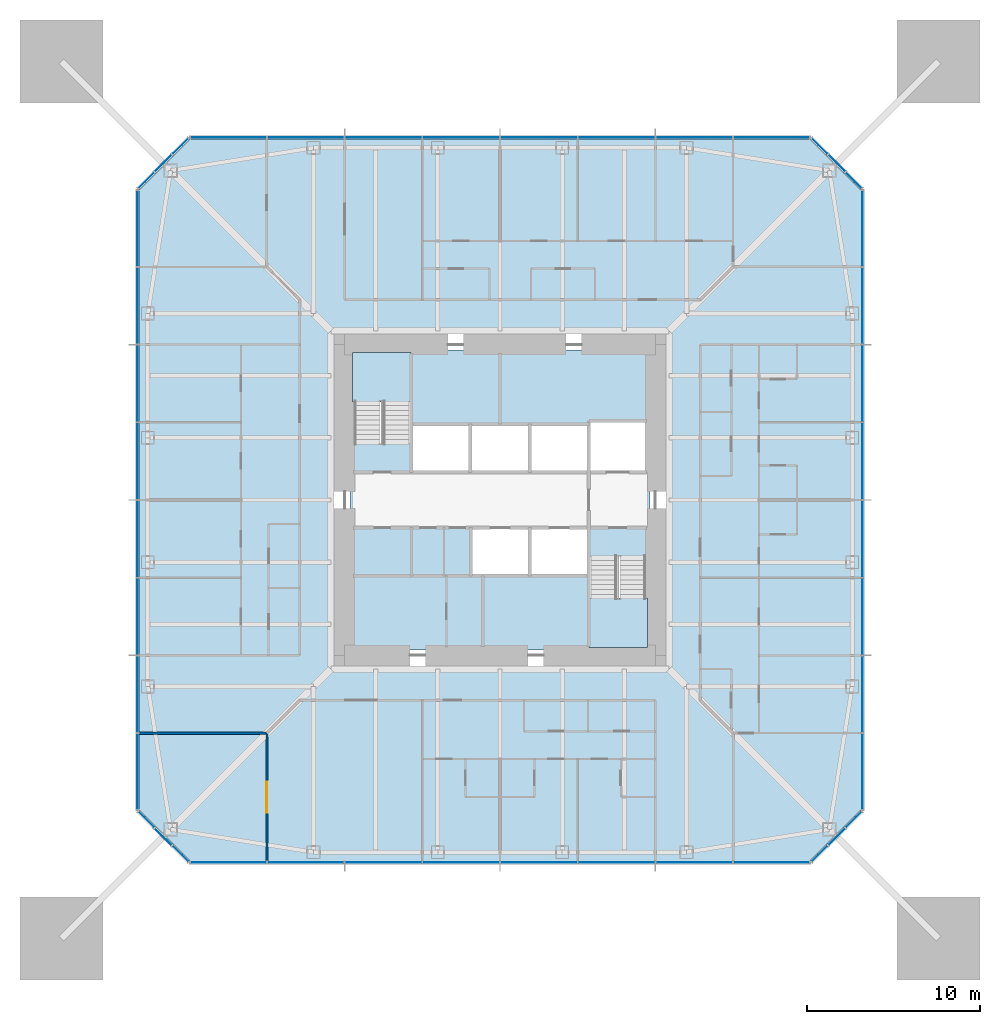
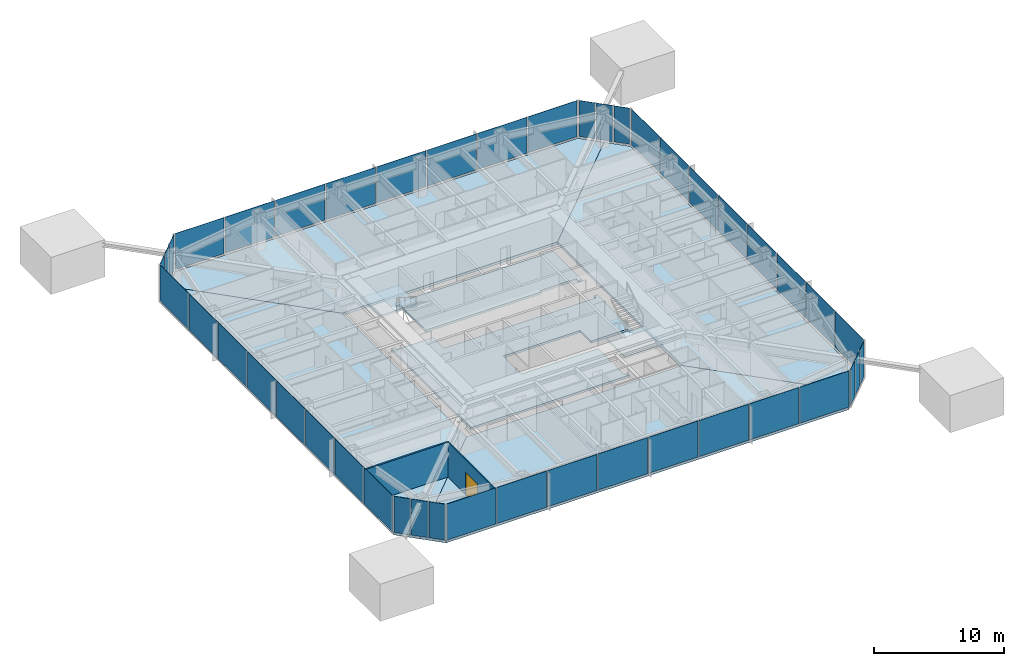
# One storey, part 6 of 14: 44 plates, 8 slabs, 2 walls, 1 door, 1 opening, 10 elements without a shape of their own.
"""IFC4 building model written with IfcOpenShell, lengths in metres."""

from ifc_helpers import new_model, si_unit, direction, frame, frame_2d, origin, origin_2d, place, context, subcontext, project, spatial, polyline, rectangle, outline, extrude, material, layer, layer_set, constituent, constituent_set, type_object, element, fill, aggregate, save


model = new_model("IFC4")

# Units and contexts
model_context = context("Model", 3, precision=1e-05, world=origin(), true_north=direction((0.0, 1.0)))
body_context = subcontext(model_context, "Body", "Model", "MODEL_VIEW")
ifc_project = project(units=[si_unit("LENGTHUNIT", "METRE"), si_unit("AREAUNIT", "SQUARE_METRE"), si_unit("VOLUMEUNIT", "CUBIC_METRE"), si_unit("PLANEANGLEUNIT", "RADIAN"), si_unit("MASSUNIT", "GRAM", prefix="KILO")], contexts=[model_context])

# Site, building, storey
site_placement = place(None, origin())
site = spatial("IfcSite", under=ifc_project, at=site_placement, CompositionType="ELEMENT")
building_placement = place(site_placement, origin())
building = spatial("IfcBuilding", under=site, at=building_placement, Name="Iwan Alto Co-Living Towers", CompositionType="ELEMENT")
storey_placement = place(building_placement, frame((0.0, 0.0, 136.5)))
storey = spatial("IfcBuildingStorey", under=building, at=storey_placement, Name="L37", CompositionType="ELEMENT", Elevation=136.5)

# Slabs
ifc_material_1 = material(Name="Concrete f'c 30 MPa", Category="concrete")
ifc_layer_1 = layer(ifc_material_1, 0.199951171875)
ifc_layer_set_1 = layer_set([ifc_layer_1], Name="CORE FLOOR SLAB 200")
slab_type_1 = type_object("IfcSlabType", Name="CORE FLOOR SLAB 200", PredefinedType="FLOOR", material=ifc_layer_set_1)
slab_1_placement = place(storey_placement, frame((0.0, 0.0, -0.199951171875)))
element("IfcSlab", 1, at=slab_1_placement, inside=storey, type_object=slab_type_1, Name="T1 core floor L37", PredefinedType="FLOOR", context=body_context, shape_type="SweptSolid", body=[
    extrude(outline(polyline([(5.14990234375, -1.60009765625), (1.72509765625, -1.60009765625), (-1.699951171875, -1.60009765625), (-1.699951171875, -4.39990234375), (1.72509765625, -4.39990234375), (5.14990234375, -4.39990234375), (5.14990234375, -8.39990234375), (5.4599609375, -8.39990234375), (5.4599609375, -8.699951171875), (-8.699951171875, -8.699951171875), (-8.699951171875, 3.580078125), (-8.39990234375, 3.580078125), (-8.39990234375, 3.27001953125), (-5.14990234375, 3.27001953125), (-5.14990234375, 1.60009765625), (-1.717041015625, 1.60009765625), (1.717041015625, 1.60009765625), (5.14990234375, 1.60009765625), (8.39990234375, 1.60009765625), (8.39990234375, 1.909912109375), (8.699951171875, 1.909912109375), (8.699951171875, -3.580078125), (8.39990234375, -3.580078125), (8.39990234375, -3.27001953125), (5.14990234375, -3.27001953125), (5.14990234375, -1.60009765625)])), origin(), (0.0, 0.0, 1.0), 0.199951171875),
])
slab_2_placement = place(storey_placement, frame((0.0, 0.0, -0.199951171875)))
element("IfcSlab", 2, at=slab_2_placement, inside=storey, type_object=slab_type_1, Name="T1 core floor L37", PredefinedType="FLOOR", context=body_context, shape_type="SweptSolid", body=[
    extrude(outline(polyline([(1.717041015625, 4.39990234375), (-1.717041015625, 4.39990234375), (-5.14990234375, 4.39990234375), (-5.14990234375, 8.39990234375), (-5.4599609375, 8.39990234375), (-5.4599609375, 8.699951171875), (8.699951171875, 8.699951171875), (8.699951171875, 4.2900390625), (8.39990234375, 4.2900390625), (8.39990234375, 4.60009765625), (5.14990234375, 4.60009765625), (5.14990234375, 4.39990234375), (1.717041015625, 4.39990234375)])), origin(), (0.0, 0.0, 1.0), 0.199951171875),
])

# Curtain wall, plates
ifc_material_2 = material(Name="Bronze aluminium unitised frame", Category="aluminium")
curtain_wall_type_1 = type_object("IfcCurtainWallType", Name="CURTAIN WALL CW-A", PredefinedType="NOTDEFINED", material=ifc_material_2)
curtain_wall_1_placement = place(storey_placement, origin())
curtain_wall_1 = element("IfcCurtainWall", 3, at=curtain_wall_1_placement, inside=storey, type_object=curtain_wall_type_1, Name="T1 curtain wall S L37", PredefinedType="NOTDEFINED")
ifc_material_3 = material(Name="Bronze-tinted insulating glass", Category="glass")
ifc_layer_2 = layer(ifc_material_3, 0.031982421875)
ifc_layer_set_2 = layer_set([ifc_layer_2], Name="CW-A PANEL TINTED IGU 32")
plate_type_1 = type_object("IfcPlateType", Name="CW-A PANEL TINTED IGU 32", PredefinedType="CURTAIN_PANEL", material=ifc_layer_set_2)
plate_1_placement = place(storey_placement, frame((-15.72998046875, -21.0, 0.10009765625), z_axis=(0.0, 0.0, 1.0), x_axis=(1.0, 0.0, 0.0)))
plate_1 = element("IfcPlate", 4, at=plate_1_placement, type_object=plate_type_1, Name="CW-A panel 1.1", PredefinedType="CURTAIN_PANEL", context=body_context, shape_type="SweptSolid", body=[
    extrude(rectangle(XDim=4.3798828125, YDim=0.031982421875, at=origin_2d()), origin(), (0.0, 0.0, 1.0), 3.39990234375),
])
plate_2_placement = place(storey_placement, frame((-11.25, -21.0, 0.10009765625), z_axis=(0.0, 0.0, 1.0), x_axis=(1.0, 0.0, 0.0)))
plate_2 = element("IfcPlate", 5, at=plate_2_placement, type_object=plate_type_1, Name="CW-A panel 2.1", PredefinedType="CURTAIN_PANEL", context=body_context, shape_type="SweptSolid", body=[
    extrude(rectangle(XDim=4.419921875, YDim=0.031982421875, at=origin_2d()), origin(), (0.0, 0.0, 1.0), 3.39990234375),
])
plate_3_placement = place(storey_placement, frame((-6.75, -21.0, 0.10009765625), z_axis=(0.0, 0.0, 1.0), x_axis=(1.0, 0.0, 0.0)))
plate_3 = element("IfcPlate", 6, at=plate_3_placement, type_object=plate_type_1, Name="CW-A panel 3.1", PredefinedType="CURTAIN_PANEL", context=body_context, shape_type="SweptSolid", body=[
    extrude(rectangle(XDim=4.419921875, YDim=0.031982421875, at=origin_2d()), origin(), (0.0, 0.0, 1.0), 3.39990234375),
])
plate_4_placement = place(storey_placement, frame((-2.25, -21.0, 0.10009765625), z_axis=(0.0, 0.0, 1.0), x_axis=(1.0, 0.0, 0.0)))
plate_4 = element("IfcPlate", 7, at=plate_4_placement, type_object=plate_type_1, Name="CW-A panel 4.1", PredefinedType="CURTAIN_PANEL", context=body_context, shape_type="SweptSolid", body=[
    extrude(rectangle(XDim=4.419921875, YDim=0.031982421875, at=origin_2d()), origin(), (0.0, 0.0, 1.0), 3.39990234375),
])
plate_5_placement = place(storey_placement, frame((2.25, -21.0, 0.10009765625), z_axis=(0.0, 0.0, 1.0), x_axis=(1.0, 0.0, 0.0)))
plate_5 = element("IfcPlate", 8, at=plate_5_placement, type_object=plate_type_1, Name="CW-A panel 5.1", PredefinedType="CURTAIN_PANEL", context=body_context, shape_type="SweptSolid", body=[
    extrude(rectangle(XDim=4.419921875, YDim=0.031982421875, at=origin_2d()), origin(), (0.0, 0.0, 1.0), 3.39990234375),
])
plate_6_placement = place(storey_placement, frame((6.75, -21.0, 0.10009765625), z_axis=(0.0, 0.0, 1.0), x_axis=(1.0, 0.0, 0.0)))
plate_6 = element("IfcPlate", 9, at=plate_6_placement, type_object=plate_type_1, Name="CW-A panel 6.1", PredefinedType="CURTAIN_PANEL", context=body_context, shape_type="SweptSolid", body=[
    extrude(rectangle(XDim=4.419921875, YDim=0.031982421875, at=origin_2d()), origin(), (0.0, 0.0, 1.0), 3.39990234375),
])
plate_7_placement = place(storey_placement, frame((11.25, -21.0, 0.10009765625), z_axis=(0.0, 0.0, 1.0), x_axis=(1.0, 0.0, 0.0)))
plate_7 = element("IfcPlate", 10, at=plate_7_placement, type_object=plate_type_1, Name="CW-A panel 7.1", PredefinedType="CURTAIN_PANEL", context=body_context, shape_type="SweptSolid", body=[
    extrude(rectangle(XDim=4.419921875, YDim=0.031982421875, at=origin_2d()), origin(), (0.0, 0.0, 1.0), 3.39990234375),
])
plate_8_placement = place(storey_placement, frame((15.72998046875, -21.0, 0.10009765625), z_axis=(0.0, 0.0, 1.0), x_axis=(1.0, 0.0, 0.0)))
plate_8 = element("IfcPlate", 11, at=plate_8_placement, type_object=plate_type_1, Name="CW-A panel 8.1", PredefinedType="CURTAIN_PANEL", context=body_context, shape_type="SweptSolid", body=[
    extrude(rectangle(XDim=4.3798828125, YDim=0.031982421875, at=origin_2d()), origin(), (0.0, 0.0, 1.0), 3.39990234375),
])
aggregate(curtain_wall_1, [plate_1, plate_2, plate_3, plate_4, plate_5, plate_6, plate_7, plate_8])

curtain_wall_2_placement = place(storey_placement, origin())
curtain_wall_2 = element("IfcCurtainWall", 12, at=curtain_wall_2_placement, inside=storey, type_object=curtain_wall_type_1, Name="T1 curtain wall E L37", PredefinedType="NOTDEFINED")
plate_9_placement = place(storey_placement, frame((21.0, -15.72998046875, 0.10009765625), z_axis=(0.0, 0.0, 1.0), x_axis=(0.0, 1.0, 0.0)))
plate_9 = element("IfcPlate", 13, at=plate_9_placement, type_object=plate_type_1, Name="CW-A panel 1.1", PredefinedType="CURTAIN_PANEL", context=body_context, shape_type="SweptSolid", body=[
    extrude(rectangle(XDim=4.3798828125, YDim=0.031982421875, at=origin_2d()), origin(), (0.0, 0.0, 1.0), 3.39990234375),
])
plate_10_placement = place(storey_placement, frame((21.0, -11.25, 0.10009765625), z_axis=(0.0, 0.0, 1.0), x_axis=(0.0, 1.0, 0.0)))
plate_10 = element("IfcPlate", 14, at=plate_10_placement, type_object=plate_type_1, Name="CW-A panel 2.1", PredefinedType="CURTAIN_PANEL", context=body_context, shape_type="SweptSolid", body=[
    extrude(rectangle(XDim=4.419921875, YDim=0.031982421875, at=origin_2d()), origin(), (0.0, 0.0, 1.0), 3.39990234375),
])
plate_11_placement = place(storey_placement, frame((21.0, -6.75, 0.10009765625), z_axis=(0.0, 0.0, 1.0), x_axis=(0.0, 1.0, 0.0)))
plate_11 = element("IfcPlate", 15, at=plate_11_placement, type_object=plate_type_1, Name="CW-A panel 3.1", PredefinedType="CURTAIN_PANEL", context=body_context, shape_type="SweptSolid", body=[
    extrude(rectangle(XDim=4.419921875, YDim=0.031982421875, at=origin_2d()), origin(), (0.0, 0.0, 1.0), 3.39990234375),
])
plate_12_placement = place(storey_placement, frame((21.0, -2.25, 0.10009765625), z_axis=(0.0, 0.0, 1.0), x_axis=(0.0, 1.0, 0.0)))
plate_12 = element("IfcPlate", 16, at=plate_12_placement, type_object=plate_type_1, Name="CW-A panel 4.1", PredefinedType="CURTAIN_PANEL", context=body_context, shape_type="SweptSolid", body=[
    extrude(rectangle(XDim=4.419921875, YDim=0.031982421875, at=origin_2d()), origin(), (0.0, 0.0, 1.0), 3.39990234375),
])
plate_13_placement = place(storey_placement, frame((21.0, 2.25, 0.10009765625), z_axis=(0.0, 0.0, 1.0), x_axis=(0.0, 1.0, 0.0)))
plate_13 = element("IfcPlate", 17, at=plate_13_placement, type_object=plate_type_1, Name="CW-A panel 5.1", PredefinedType="CURTAIN_PANEL", context=body_context, shape_type="SweptSolid", body=[
    extrude(rectangle(XDim=4.419921875, YDim=0.031982421875, at=origin_2d()), origin(), (0.0, 0.0, 1.0), 3.39990234375),
])
plate_14_placement = place(storey_placement, frame((21.0, 6.75, 0.10009765625), z_axis=(0.0, 0.0, 1.0), x_axis=(0.0, 1.0, 0.0)))
plate_14 = element("IfcPlate", 18, at=plate_14_placement, type_object=plate_type_1, Name="CW-A panel 6.1", PredefinedType="CURTAIN_PANEL", context=body_context, shape_type="SweptSolid", body=[
    extrude(rectangle(XDim=4.419921875, YDim=0.031982421875, at=origin_2d()), origin(), (0.0, 0.0, 1.0), 3.39990234375),
])
plate_15_placement = place(storey_placement, frame((21.0, 11.25, 0.10009765625), z_axis=(0.0, 0.0, 1.0), x_axis=(0.0, 1.0, 0.0)))
plate_15 = element("IfcPlate", 19, at=plate_15_placement, type_object=plate_type_1, Name="CW-A panel 7.1", PredefinedType="CURTAIN_PANEL", context=body_context, shape_type="SweptSolid", body=[
    extrude(rectangle(XDim=4.419921875, YDim=0.031982421875, at=origin_2d()), origin(), (0.0, 0.0, 1.0), 3.39990234375),
])
plate_16_placement = place(storey_placement, frame((21.0, 15.72998046875, 0.10009765625), z_axis=(0.0, 0.0, 1.0), x_axis=(0.0, 1.0, 0.0)))
plate_16 = element("IfcPlate", 20, at=plate_16_placement, type_object=plate_type_1, Name="CW-A panel 8.1", PredefinedType="CURTAIN_PANEL", context=body_context, shape_type="SweptSolid", body=[
    extrude(rectangle(XDim=4.3798828125, YDim=0.031982421875, at=origin_2d()), origin(), (0.0, 0.0, 1.0), 3.39990234375),
])
aggregate(curtain_wall_2, [plate_9, plate_10, plate_11, plate_12, plate_13, plate_14, plate_15, plate_16])

curtain_wall_3_placement = place(storey_placement, origin())
curtain_wall_3 = element("IfcCurtainWall", 21, at=curtain_wall_3_placement, inside=storey, type_object=curtain_wall_type_1, Name="T1 curtain wall N L37", PredefinedType="NOTDEFINED")
plate_17_placement = place(storey_placement, frame((15.72998046875, 21.0, 0.10009765625), z_axis=(0.0, 0.0, 1.0), x_axis=(-1.0, 0.0, 0.0)))
plate_17 = element("IfcPlate", 22, at=plate_17_placement, type_object=plate_type_1, Name="CW-A panel 1.1", PredefinedType="CURTAIN_PANEL", context=body_context, shape_type="SweptSolid", body=[
    extrude(rectangle(XDim=4.3798828125, YDim=0.031982421875, at=origin_2d()), origin(), (0.0, 0.0, 1.0), 3.39990234375),
])
plate_18_placement = place(storey_placement, frame((11.25, 21.0, 0.10009765625), z_axis=(0.0, 0.0, 1.0), x_axis=(-1.0, 0.0, 0.0)))
plate_18 = element("IfcPlate", 23, at=plate_18_placement, type_object=plate_type_1, Name="CW-A panel 2.1", PredefinedType="CURTAIN_PANEL", context=body_context, shape_type="SweptSolid", body=[
    extrude(rectangle(XDim=4.419921875, YDim=0.031982421875, at=origin_2d()), origin(), (0.0, 0.0, 1.0), 3.39990234375),
])
plate_19_placement = place(storey_placement, frame((6.75, 21.0, 0.10009765625), z_axis=(0.0, 0.0, 1.0), x_axis=(-1.0, 0.0, 0.0)))
plate_19 = element("IfcPlate", 24, at=plate_19_placement, type_object=plate_type_1, Name="CW-A panel 3.1", PredefinedType="CURTAIN_PANEL", context=body_context, shape_type="SweptSolid", body=[
    extrude(rectangle(XDim=4.419921875, YDim=0.031982421875, at=origin_2d()), origin(), (0.0, 0.0, 1.0), 3.39990234375),
])
plate_20_placement = place(storey_placement, frame((2.25, 21.0, 0.10009765625), z_axis=(0.0, 0.0, 1.0), x_axis=(-1.0, 0.0, 0.0)))
plate_20 = element("IfcPlate", 25, at=plate_20_placement, type_object=plate_type_1, Name="CW-A panel 4.1", PredefinedType="CURTAIN_PANEL", context=body_context, shape_type="SweptSolid", body=[
    extrude(rectangle(XDim=4.419921875, YDim=0.031982421875, at=origin_2d()), origin(), (0.0, 0.0, 1.0), 3.39990234375),
])
plate_21_placement = place(storey_placement, frame((-2.25, 21.0, 0.10009765625), z_axis=(0.0, 0.0, 1.0), x_axis=(-1.0, 0.0, 0.0)))
plate_21 = element("IfcPlate", 26, at=plate_21_placement, type_object=plate_type_1, Name="CW-A panel 5.1", PredefinedType="CURTAIN_PANEL", context=body_context, shape_type="SweptSolid", body=[
    extrude(rectangle(XDim=4.419921875, YDim=0.031982421875, at=origin_2d()), origin(), (0.0, 0.0, 1.0), 3.39990234375),
])
plate_22_placement = place(storey_placement, frame((-6.75, 21.0, 0.10009765625), z_axis=(0.0, 0.0, 1.0), x_axis=(-1.0, 0.0, 0.0)))
plate_22 = element("IfcPlate", 27, at=plate_22_placement, type_object=plate_type_1, Name="CW-A panel 6.1", PredefinedType="CURTAIN_PANEL", context=body_context, shape_type="SweptSolid", body=[
    extrude(rectangle(XDim=4.419921875, YDim=0.031982421875, at=origin_2d()), origin(), (0.0, 0.0, 1.0), 3.39990234375),
])
plate_23_placement = place(storey_placement, frame((-11.25, 21.0, 0.10009765625), z_axis=(0.0, 0.0, 1.0), x_axis=(-1.0, 0.0, 0.0)))
plate_23 = element("IfcPlate", 28, at=plate_23_placement, type_object=plate_type_1, Name="CW-A panel 7.1", PredefinedType="CURTAIN_PANEL", context=body_context, shape_type="SweptSolid", body=[
    extrude(rectangle(XDim=4.419921875, YDim=0.031982421875, at=origin_2d()), origin(), (0.0, 0.0, 1.0), 3.39990234375),
])
plate_24_placement = place(storey_placement, frame((-15.72998046875, 21.0, 0.10009765625), z_axis=(0.0, 0.0, 1.0), x_axis=(-1.0, 0.0, 0.0)))
plate_24 = element("IfcPlate", 29, at=plate_24_placement, type_object=plate_type_1, Name="CW-A panel 8.1", PredefinedType="CURTAIN_PANEL", context=body_context, shape_type="SweptSolid", body=[
    extrude(rectangle(XDim=4.3798828125, YDim=0.031982421875, at=origin_2d()), origin(), (0.0, 0.0, 1.0), 3.39990234375),
])
aggregate(curtain_wall_3, [plate_17, plate_18, plate_19, plate_20, plate_21, plate_22, plate_23, plate_24])

curtain_wall_4_placement = place(storey_placement, origin())
curtain_wall_4 = element("IfcCurtainWall", 30, at=curtain_wall_4_placement, inside=storey, type_object=curtain_wall_type_1, Name="T1 curtain wall W L37", PredefinedType="NOTDEFINED")
plate_25_placement = place(storey_placement, frame((-21.0, 15.72998046875, 0.10009765625), z_axis=(0.0, 0.0, 1.0), x_axis=(0.0, -1.0, 0.0)))
plate_25 = element("IfcPlate", 31, at=plate_25_placement, type_object=plate_type_1, Name="CW-A panel 1.1", PredefinedType="CURTAIN_PANEL", context=body_context, shape_type="SweptSolid", body=[
    extrude(rectangle(XDim=4.3798828125, YDim=0.031982421875, at=origin_2d()), origin(), (0.0, 0.0, 1.0), 3.39990234375),
])
plate_26_placement = place(storey_placement, frame((-21.0, 11.25, 0.10009765625), z_axis=(0.0, 0.0, 1.0), x_axis=(0.0, -1.0, 0.0)))
plate_26 = element("IfcPlate", 32, at=plate_26_placement, type_object=plate_type_1, Name="CW-A panel 2.1", PredefinedType="CURTAIN_PANEL", context=body_context, shape_type="SweptSolid", body=[
    extrude(rectangle(XDim=4.419921875, YDim=0.031982421875, at=origin_2d()), origin(), (0.0, 0.0, 1.0), 3.39990234375),
])
plate_27_placement = place(storey_placement, frame((-21.0, 6.75, 0.10009765625), z_axis=(0.0, 0.0, 1.0), x_axis=(0.0, -1.0, 0.0)))
plate_27 = element("IfcPlate", 33, at=plate_27_placement, type_object=plate_type_1, Name="CW-A panel 3.1", PredefinedType="CURTAIN_PANEL", context=body_context, shape_type="SweptSolid", body=[
    extrude(rectangle(XDim=4.419921875, YDim=0.031982421875, at=origin_2d()), origin(), (0.0, 0.0, 1.0), 3.39990234375),
])
plate_28_placement = place(storey_placement, frame((-21.0, 2.25, 0.10009765625), z_axis=(0.0, 0.0, 1.0), x_axis=(0.0, -1.0, 0.0)))
plate_28 = element("IfcPlate", 34, at=plate_28_placement, type_object=plate_type_1, Name="CW-A panel 4.1", PredefinedType="CURTAIN_PANEL", context=body_context, shape_type="SweptSolid", body=[
    extrude(rectangle(XDim=4.419921875, YDim=0.031982421875, at=origin_2d()), origin(), (0.0, 0.0, 1.0), 3.39990234375),
])
plate_29_placement = place(storey_placement, frame((-21.0, -2.25, 0.10009765625), z_axis=(0.0, 0.0, 1.0), x_axis=(0.0, -1.0, 0.0)))
plate_29 = element("IfcPlate", 35, at=plate_29_placement, type_object=plate_type_1, Name="CW-A panel 5.1", PredefinedType="CURTAIN_PANEL", context=body_context, shape_type="SweptSolid", body=[
    extrude(rectangle(XDim=4.419921875, YDim=0.031982421875, at=origin_2d()), origin(), (0.0, 0.0, 1.0), 3.39990234375),
])
plate_30_placement = place(storey_placement, frame((-21.0, -6.75, 0.10009765625), z_axis=(0.0, 0.0, 1.0), x_axis=(0.0, -1.0, 0.0)))
plate_30 = element("IfcPlate", 36, at=plate_30_placement, type_object=plate_type_1, Name="CW-A panel 6.1", PredefinedType="CURTAIN_PANEL", context=body_context, shape_type="SweptSolid", body=[
    extrude(rectangle(XDim=4.419921875, YDim=0.031982421875, at=origin_2d()), origin(), (0.0, 0.0, 1.0), 3.39990234375),
])
plate_31_placement = place(storey_placement, frame((-21.0, -11.25, 0.10009765625), z_axis=(0.0, 0.0, 1.0), x_axis=(0.0, -1.0, 0.0)))
plate_31 = element("IfcPlate", 37, at=plate_31_placement, type_object=plate_type_1, Name="CW-A panel 7.1", PredefinedType="CURTAIN_PANEL", context=body_context, shape_type="SweptSolid", body=[
    extrude(rectangle(XDim=4.419921875, YDim=0.031982421875, at=origin_2d()), origin(), (0.0, 0.0, 1.0), 3.39990234375),
])
plate_32_placement = place(storey_placement, frame((-21.0, -15.72998046875, 0.10009765625), z_axis=(0.0, 0.0, 1.0), x_axis=(0.0, -1.0, 0.0)))
plate_32 = element("IfcPlate", 38, at=plate_32_placement, type_object=plate_type_1, Name="CW-A panel 8.1", PredefinedType="CURTAIN_PANEL", context=body_context, shape_type="SweptSolid", body=[
    extrude(rectangle(XDim=4.3798828125, YDim=0.031982421875, at=origin_2d()), origin(), (0.0, 0.0, 1.0), 3.39990234375),
])
aggregate(curtain_wall_4, [plate_25, plate_26, plate_27, plate_28, plate_29, plate_30, plate_31, plate_32])

ifc_material_4 = material(Name="Bronze aluminium unitised frame", Category="aluminium")
curtain_wall_type_2 = type_object("IfcCurtainWallType", Name="CURTAIN WALL CW-B", PredefinedType="NOTDEFINED", material=ifc_material_4)
curtain_wall_5_placement = place(storey_placement, origin())
curtain_wall_5 = element("IfcCurtainWall", 39, at=curtain_wall_5_placement, inside=storey, type_object=curtain_wall_type_2, Name="T1 chamfer curtain wall SE L37", PredefinedType="NOTDEFINED")
ifc_material_5 = material(Name="Bronze-tinted insulating glass", Category="glass")
ifc_layer_3 = layer(ifc_material_5, 0.031982421875)
ifc_layer_set_3 = layer_set([ifc_layer_3], Name="CW-B PANEL TINTED IGU 32")
plate_type_2 = type_object("IfcPlateType", Name="CW-B PANEL TINTED IGU 32", PredefinedType="CURTAIN_PANEL", material=ifc_layer_set_3)
plate_33_placement = place(storey_placement, frame((18.51416015625, -20.48583984375, 0.10009765625), z_axis=(0.0, 0.0, 1.0), x_axis=(0.707106781187, 0.707106781187, 0.0)))
plate_33 = element("IfcPlate", 40, at=plate_33_placement, type_object=plate_type_2, Name="CW-B panel 1.1", PredefinedType="CURTAIN_PANEL", context=body_context, shape_type="SweptSolid", body=[
    extrude(rectangle(XDim=1.294189453125, YDim=0.031982421875, at=origin_2d()), origin(), (0.0, 0.0, 1.0), 3.39990234375),
])
plate_34_placement = place(storey_placement, frame((19.5, -19.5, 0.10009765625), z_axis=(0.0, 0.0, 1.0), x_axis=(0.707106781187, 0.707106781187, 0.0)))
plate_34 = element("IfcPlate", 41, at=plate_34_placement, type_object=plate_type_2, Name="CW-B panel 2.1", PredefinedType="CURTAIN_PANEL", context=body_context, shape_type="SweptSolid", body=[
    extrude(rectangle(XDim=1.334228515625, YDim=0.031982421875, at=origin_2d()), origin(), (0.0, 0.0, 1.0), 3.39990234375),
])
plate_35_placement = place(storey_placement, frame((20.48583984375, -18.51416015625, 0.10009765625), z_axis=(0.0, 0.0, 1.0), x_axis=(0.707106781187, 0.707106781187, 0.0)))
plate_35 = element("IfcPlate", 42, at=plate_35_placement, type_object=plate_type_2, Name="CW-B panel 3.1", PredefinedType="CURTAIN_PANEL", context=body_context, shape_type="SweptSolid", body=[
    extrude(rectangle(XDim=1.294189453125, YDim=0.031982421875, at=origin_2d()), origin(), (0.0, 0.0, 1.0), 3.39990234375),
])
aggregate(curtain_wall_5, [plate_33, plate_34, plate_35])

curtain_wall_6_placement = place(storey_placement, origin())
curtain_wall_6 = element("IfcCurtainWall", 43, at=curtain_wall_6_placement, inside=storey, type_object=curtain_wall_type_2, Name="T1 chamfer curtain wall NE L37", PredefinedType="NOTDEFINED")
plate_36_placement = place(storey_placement, frame((20.48583984375, 18.51416015625, 0.10009765625), z_axis=(0.0, 0.0, 1.0), x_axis=(-0.707106781187, 0.707106781187, 0.0)))
plate_36 = element("IfcPlate", 44, at=plate_36_placement, type_object=plate_type_2, Name="CW-B panel 1.1", PredefinedType="CURTAIN_PANEL", context=body_context, shape_type="SweptSolid", body=[
    extrude(rectangle(XDim=1.294189453125, YDim=0.031982421875, at=origin_2d()), origin(), (0.0, 0.0, 1.0), 3.39990234375),
])
plate_37_placement = place(storey_placement, frame((19.5, 19.5, 0.10009765625), z_axis=(0.0, 0.0, 1.0), x_axis=(-0.707106781187, 0.707106781187, 0.0)))
plate_37 = element("IfcPlate", 45, at=plate_37_placement, type_object=plate_type_2, Name="CW-B panel 2.1", PredefinedType="CURTAIN_PANEL", context=body_context, shape_type="SweptSolid", body=[
    extrude(rectangle(XDim=1.334228515625, YDim=0.031982421875, at=origin_2d()), origin(), (0.0, 0.0, 1.0), 3.39990234375),
])
plate_38_placement = place(storey_placement, frame((18.51416015625, 20.48583984375, 0.10009765625), z_axis=(0.0, 0.0, 1.0), x_axis=(-0.707106781187, 0.707106781187, 0.0)))
plate_38 = element("IfcPlate", 46, at=plate_38_placement, type_object=plate_type_2, Name="CW-B panel 3.1", PredefinedType="CURTAIN_PANEL", context=body_context, shape_type="SweptSolid", body=[
    extrude(rectangle(XDim=1.294189453125, YDim=0.031982421875, at=origin_2d()), origin(), (0.0, 0.0, 1.0), 3.39990234375),
])
aggregate(curtain_wall_6, [plate_36, plate_37, plate_38])

curtain_wall_7_placement = place(storey_placement, origin())
curtain_wall_7 = element("IfcCurtainWall", 47, at=curtain_wall_7_placement, inside=storey, type_object=curtain_wall_type_2, Name="T1 chamfer curtain wall NW L37", PredefinedType="NOTDEFINED")
plate_39_placement = place(storey_placement, frame((-18.51416015625, 20.48583984375, 0.10009765625), z_axis=(0.0, 0.0, 1.0), x_axis=(-0.707106781187, -0.707106781187, 0.0)))
plate_39 = element("IfcPlate", 48, at=plate_39_placement, type_object=plate_type_2, Name="CW-B panel 1.1", PredefinedType="CURTAIN_PANEL", context=body_context, shape_type="SweptSolid", body=[
    extrude(rectangle(XDim=1.294189453125, YDim=0.031982421875, at=origin_2d()), origin(), (0.0, 0.0, 1.0), 3.39990234375),
])
plate_40_placement = place(storey_placement, frame((-19.5, 19.5, 0.10009765625), z_axis=(0.0, 0.0, 1.0), x_axis=(-0.707106781187, -0.707106781187, 0.0)))
plate_40 = element("IfcPlate", 49, at=plate_40_placement, type_object=plate_type_2, Name="CW-B panel 2.1", PredefinedType="CURTAIN_PANEL", context=body_context, shape_type="SweptSolid", body=[
    extrude(rectangle(XDim=1.334228515625, YDim=0.031982421875, at=origin_2d()), origin(), (0.0, 0.0, 1.0), 3.39990234375),
])
plate_41_placement = place(storey_placement, frame((-20.48583984375, 18.51416015625, 0.10009765625), z_axis=(0.0, 0.0, 1.0), x_axis=(-0.707106781187, -0.707106781187, 0.0)))
plate_41 = element("IfcPlate", 50, at=plate_41_placement, type_object=plate_type_2, Name="CW-B panel 3.1", PredefinedType="CURTAIN_PANEL", context=body_context, shape_type="SweptSolid", body=[
    extrude(rectangle(XDim=1.294189453125, YDim=0.031982421875, at=origin_2d()), origin(), (0.0, 0.0, 1.0), 3.39990234375),
])
aggregate(curtain_wall_7, [plate_39, plate_40, plate_41])

curtain_wall_8_placement = place(storey_placement, origin())
curtain_wall_8 = element("IfcCurtainWall", 51, at=curtain_wall_8_placement, inside=storey, type_object=curtain_wall_type_2, Name="T1 chamfer curtain wall SW L37", PredefinedType="NOTDEFINED")
plate_42_placement = place(storey_placement, frame((-20.48583984375, -18.51416015625, 0.10009765625), z_axis=(0.0, 0.0, 1.0), x_axis=(0.707106781187, -0.707106781187, 0.0)))
plate_42 = element("IfcPlate", 52, at=plate_42_placement, type_object=plate_type_2, Name="CW-B panel 1.1", PredefinedType="CURTAIN_PANEL", context=body_context, shape_type="SweptSolid", body=[
    extrude(rectangle(XDim=1.294189453125, YDim=0.031982421875, at=origin_2d()), origin(), (0.0, 0.0, 1.0), 3.39990234375),
])
plate_43_placement = place(storey_placement, frame((-19.5, -19.5, 0.10009765625), z_axis=(0.0, 0.0, 1.0), x_axis=(0.707106781187, -0.707106781187, 0.0)))
plate_43 = element("IfcPlate", 53, at=plate_43_placement, type_object=plate_type_2, Name="CW-B panel 2.1", PredefinedType="CURTAIN_PANEL", context=body_context, shape_type="SweptSolid", body=[
    extrude(rectangle(XDim=1.334228515625, YDim=0.031982421875, at=origin_2d()), origin(), (0.0, 0.0, 1.0), 3.39990234375),
])
plate_44_placement = place(storey_placement, frame((-18.51416015625, -20.48583984375, 0.10009765625), z_axis=(0.0, 0.0, 1.0), x_axis=(0.707106781187, -0.707106781187, 0.0)))
plate_44 = element("IfcPlate", 54, at=plate_44_placement, type_object=plate_type_2, Name="CW-B panel 3.1", PredefinedType="CURTAIN_PANEL", context=body_context, shape_type="SweptSolid", body=[
    extrude(rectangle(XDim=1.294189453125, YDim=0.031982421875, at=origin_2d()), origin(), (0.0, 0.0, 1.0), 3.39990234375),
])
aggregate(curtain_wall_8, [plate_42, plate_43, plate_44])

# Stair, slab
ifc_material_6 = material(Name="Steel ASTM A36", Category="steel")
ifc_constituent_1 = constituent(ifc_material_6, Name="Stringers", Category="LoadBearing")
ifc_material_7 = material(Name="Concrete f'c 30 MPa", Category="concrete")
ifc_constituent_2 = constituent(ifc_material_7, Name="Tread fill", Category="Finish")
ifc_constituent_set = constituent_set(constituents=[ifc_constituent_1, ifc_constituent_2], Name="STAIR 3500 TWO-FLIGHT T1 CORE")
stair_type = type_object("IfcStairType", Name="STAIR 3500 TWO-FLIGHT T1 CORE", PredefinedType="HALF_TURN_STAIR", material=ifc_constituent_set)
stair_1_placement = place(storey_placement, origin())
stair_1 = element("IfcStair", 55, at=stair_1_placement, inside=storey, type_object=stair_type, Name="Stair T1-S1 L37 to L38", PredefinedType="HALF_TURN_STAIR")
ifc_material_8 = material(Name="Concrete f'c 30 MPa", Category="concrete")
ifc_layer_4 = layer(ifc_material_8, 0.199951171875)
ifc_layer_set_4 = layer_set([ifc_layer_4], Name="STAIR LANDING 200")
slab_type_2 = type_object("IfcSlabType", Name="STAIR LANDING 200", PredefinedType="LANDING", material=ifc_layer_set_4)
slab_3_placement = place(storey_placement, frame((0.0, 0.0, 1.550048828125)))
slab_3 = element("IfcSlab", 56, at=slab_3_placement, type_object=slab_type_2, Name="T1-S1 landing 1", PredefinedType="LANDING", context=body_context, shape_type="SweptSolid", body=[
    extrude(outline(polyline([(-8.550048828125, 5.68994140625), (-8.550048828125, 8.550048828125), (-5.14990234375, 8.550048828125), (-5.14990234375, 5.68994140625), (-8.550048828125, 5.68994140625)])), origin(), (0.0, 0.0, 1.0), 0.199951171875),
])
aggregate(stair_1, [slab_3])

stair_2_placement = place(storey_placement, origin())
stair_2 = element("IfcStair", 57, at=stair_2_placement, inside=storey, type_object=stair_type, Name="Stair T1-S2 L37 to L38", PredefinedType="HALF_TURN_STAIR")
slab_4_placement = place(storey_placement, frame((0.0, 0.0, 1.550048828125)))
slab_4 = element("IfcSlab", 58, at=slab_4_placement, type_object=slab_type_2, Name="T1-S2 landing 1", PredefinedType="LANDING", context=body_context, shape_type="SweptSolid", body=[
    extrude(outline(polyline([(5.14990234375, -5.68994140625), (5.14990234375, -8.550048828125), (8.550048828125, -8.550048828125), (8.550048828125, -5.68994140625), (5.14990234375, -5.68994140625)])), origin(), (0.0, 0.0, 1.0), 0.199951171875),
])
aggregate(stair_2, [slab_4])

# Slabs
ifc_material_9 = material(Name="Concrete f'c 30 MPa", Category="concrete")
ifc_layer_5 = layer(ifc_material_9, 0.22998046875)
ifc_layer_set_5 = layer_set([ifc_layer_5], Name="T1 FLOOR SLAB 230")
slab_type_3 = type_object("IfcSlabType", Name="T1 FLOOR SLAB 230", PredefinedType="FLOOR", material=ifc_layer_set_5)
slab_5_placement = place(storey_placement, frame((0.0, 0.0, -0.22998046875)))
element("IfcSlab", 59, at=slab_5_placement, inside=storey, type_object=slab_type_3, Name="T1 floor slab L37 S pour", PredefinedType="FLOOR", context=body_context, shape_type="SweptSolid", body=[
    extrude(outline(polyline([(17.94140625, -20.89990234375), (-17.94140625, -20.89990234375), (-19.420654296875, -19.420654296875), (-9.60009765625, -9.60009765625), (9.60009765625, -9.60009765625), (19.420654296875, -19.420654296875), (17.94140625, -20.89990234375)])), origin(), (0.0, 0.0, 1.0), 0.22998046875),
])
slab_6_placement = place(storey_placement, frame((0.0, 0.0, -0.22998046875)))
element("IfcSlab", 60, at=slab_6_placement, inside=storey, type_object=slab_type_3, Name="T1 floor slab L37 E pour", PredefinedType="FLOOR", context=body_context, shape_type="SweptSolid", body=[
    extrude(outline(polyline([(20.89990234375, 17.94140625), (20.89990234375, -17.94140625), (19.420654296875, -19.420654296875), (9.60009765625, -9.60009765625), (9.60009765625, 9.60009765625), (19.420654296875, 19.420654296875), (20.89990234375, 17.94140625)])), origin(), (0.0, 0.0, 1.0), 0.22998046875),
])
slab_7_placement = place(storey_placement, frame((0.0, 0.0, -0.22998046875)))
element("IfcSlab", 61, at=slab_7_placement, inside=storey, type_object=slab_type_3, Name="T1 floor slab L37 N pour", PredefinedType="FLOOR", context=body_context, shape_type="SweptSolid", body=[
    extrude(outline(polyline([(-17.94140625, 20.89990234375), (17.94140625, 20.89990234375), (19.420654296875, 19.420654296875), (9.60009765625, 9.60009765625), (-9.60009765625, 9.60009765625), (-19.420654296875, 19.420654296875), (-17.94140625, 20.89990234375)])), origin(), (0.0, 0.0, 1.0), 0.22998046875),
])
slab_8_placement = place(storey_placement, frame((0.0, 0.0, -0.22998046875)))
element("IfcSlab", 62, at=slab_8_placement, inside=storey, type_object=slab_type_3, Name="T1 floor slab L37 W pour", PredefinedType="FLOOR", context=body_context, shape_type="SweptSolid", body=[
    extrude(outline(polyline([(-20.89990234375, 17.94140625), (-19.420654296875, 19.420654296875), (-9.60009765625, 9.60009765625), (-9.60009765625, -9.60009765625), (-19.420654296875, -19.420654296875), (-20.89990234375, -17.94140625), (-20.89990234375, 17.94140625)])), origin(), (0.0, 0.0, 1.0), 0.22998046875),
])

# Wall
ifc_material_10 = material(Name="Gypsum board")
ifc_layer_6 = layer(ifc_material_10, 0.02490234375, Name="Board", Category="Finish")
ifc_material_11 = material(Name="Steel ASTM A1003 ST33H cold-formed studs", Category="steel")
ifc_layer_7 = layer(ifc_material_11, 0.10009765625, Name="Studs", Category="Framing")
ifc_layer_8 = layer(ifc_material_10, 0.02490234375, Name="Board", Category="Finish")
ifc_layer_set_6 = layer_set([ifc_layer_6, ifc_layer_7, ifc_layer_8], Name="CORRIDOR WALL 150")
wall_type_1 = type_object("IfcWallType", Name="CORRIDOR WALL 150", PredefinedType="PARTITIONING", material=ifc_layer_set_6)
wall_1_placement = place(storey_placement, frame((-20.93994140625, -13.5, 0.0), z_axis=(0.0, 0.0, 1.0), x_axis=(1.0, 0.0, 0.0)))
element("IfcWall", 63, at=wall_1_placement, inside=storey, type_object=wall_type_1, Name="Partition L37", PredefinedType="PARTITIONING", context=body_context, shape_type="SweptSolid", body=[
    extrude(rectangle(XDim=7.43994140625, YDim=0.14990234375, at=frame_2d((3.719970703125, 0.0))), origin(), (0.0, 0.0, 1.0), 3.27001953125),
])

# Wall, opening, door
ifc_layer_9 = layer(ifc_material_10, 0.012451171875, Name="Board", Category="Finish")
ifc_layer_10 = layer(ifc_material_11, 0.074951171875, Name="Studs", Category="Framing")
ifc_layer_11 = layer(ifc_material_10, 0.012451171875, Name="Board", Category="Finish")
ifc_layer_set_7 = layer_set([ifc_layer_9, ifc_layer_10, ifc_layer_11], Name="PARTITION 100")
wall_type_2 = type_object("IfcWallType", Name="PARTITION 100", PredefinedType="PARTITIONING", material=ifc_layer_set_7)
wall_2_placement = place(storey_placement, frame((-13.5, -20.93994140625, 0.0), z_axis=(0.0, 0.0, 1.0), x_axis=(0.0, 1.0, 0.0)))
wall_2 = element("IfcWall", 64, at=wall_2_placement, inside=storey, type_object=wall_type_2, Name="Partition L37", PredefinedType="PARTITIONING", context=body_context, shape_type="SweptSolid", body=[
    extrude(rectangle(XDim=7.43994140625, YDim=0.10009765625, at=frame_2d((3.719970703125, 0.0))), origin(), (0.0, 0.0, 1.0), 3.27001953125),
])
opening_placement = place(wall_2_placement, frame((2.820068359375, 0.0, 0.0)))
opening = element("IfcOpeningElement", 65, at=opening_placement, cuts=wall_2, Name="Opening D14", PredefinedType="OPENING", context=body_context, shape_type="SweptSolid", body=[
    extrude(rectangle(XDim=1.800048828125, YDim=2.10009765625, at=frame_2d((0.89990234375, 1.050048828125))), frame((0.0, 0.06005859375, 0.0), z_axis=(0.0, -1.0, 0.0), x_axis=(1.0, 0.0, 0.0)), (0.0, 0.0, 1.0), 0.1201171875),
])
ifc_material_12 = material(Name="Timber leaf in steel frame", Category="steel")
door_type = type_object("IfcDoorType", Name="LOUNGE DOOR 1800X2100", OperationType="DOUBLE_DOOR_SINGLE_SWING", PredefinedType="DOOR", material=ifc_material_12)
door_placement = place(opening_placement, frame((1.800048828125, 0.0, 0.0), z_axis=(0.0, 0.0, 1.0), x_axis=(-1.0, 0.0, 0.0)))
door = element("IfcDoor", 66, at=door_placement, inside=storey, type_object=door_type, Name="Courtyard lounge door L37", OperationType="DOUBLE_DOOR_SINGLE_SWING", OverallHeight=2.10009765625, OverallWidth=1.800048828125, PredefinedType="DOOR", context=body_context, shape_type="SweptSolid", body=[
    extrude(rectangle(XDim=1.800048828125, YDim=2.10009765625, at=frame_2d((0.89990234375, 1.050048828125))), frame((0.0, 0.02490234375, 0.0), z_axis=(0.0, -1.0, 0.0), x_axis=(1.0, 0.0, 0.0)), (0.0, 0.0, 1.0), 0.050048828125),
])
fill(opening, door)

save(model, "model.ifc")
